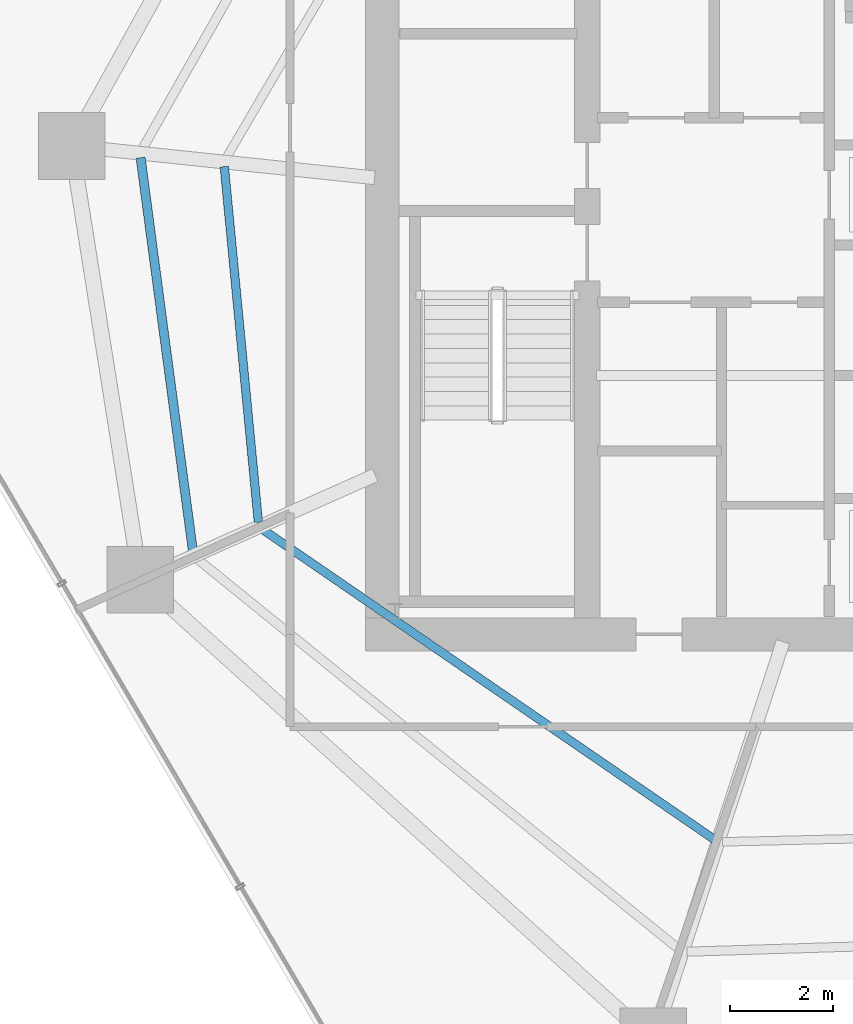
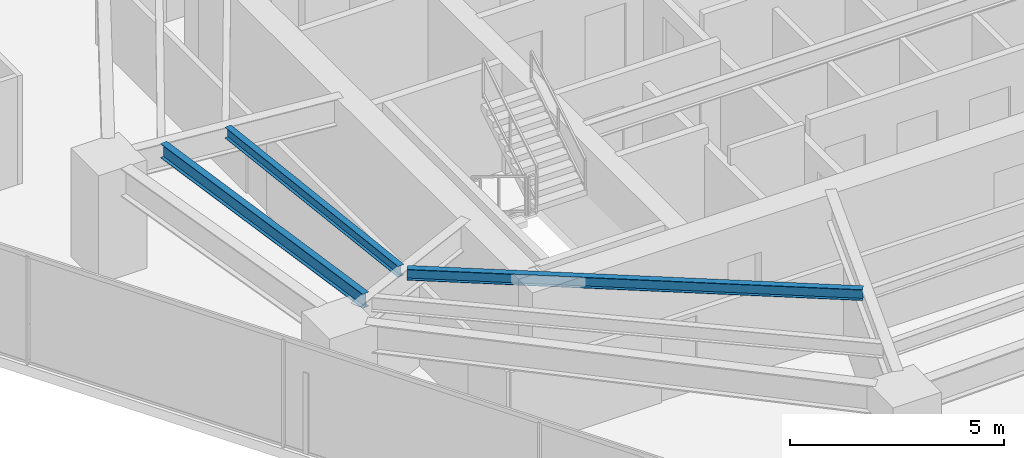
# One storey, part 8 of 31: 3 beams.
"""IFC4 building model written with IfcOpenShell, lengths in metres."""

from ifc_helpers import new_model, si_unit, direction, frame, origin, origin_2d, place, context, subcontext, project, spatial, i_section, extrude, material, material_profile, profile_set, type_object, element, save


model = new_model("IFC4")

# Units and contexts
model_context = context("Model", 3, precision=1e-05, world=origin(), true_north=direction((0.0, 1.0)))
body_context = subcontext(model_context, "Body", "Model", "MODEL_VIEW")
ifc_project = project(units=[si_unit("LENGTHUNIT", "METRE"), si_unit("AREAUNIT", "SQUARE_METRE"), si_unit("VOLUMEUNIT", "CUBIC_METRE"), si_unit("PLANEANGLEUNIT", "RADIAN"), si_unit("MASSUNIT", "GRAM", prefix="KILO")], contexts=[model_context])

# Site, building, storey
site_placement = place(None, origin())
site = spatial("IfcSite", under=ifc_project, at=site_placement, CompositionType="ELEMENT")
building_placement = place(site_placement, origin())
building = spatial("IfcBuilding", under=site, at=building_placement, Name="Qarnah Convention Tower", CompositionType="ELEMENT")
storey_placement = place(building_placement, frame((0.0, 0.0, 68.39990234375)))
storey = spatial("IfcBuildingStorey", under=building, at=storey_placement, Name="L17", CompositionType="ELEMENT", Elevation=68.39990234375)

# Beams
ifc_material = material(Name="Structural steel S355JR", Category="steel")
ifc_material_profile_1 = material_profile(ifc_material, i_section(OverallWidth=0.166015625, OverallDepth=0.31201171875, WebThickness=0.007080078125, FlangeThickness=0.010986328125, at=origin_2d()), Name="W310X45")
ifc_profile_set_1 = profile_set([ifc_material_profile_1], Name="Structural steel S355JR")
beam_type_1 = type_object("IfcBeamType", Name="BM-JST-W310", PredefinedType="JOIST", material=ifc_profile_set_1)
beam_1_placement = place(storey_placement, frame((23.718994140625, 27.72802734375, 2.93408203125), z_axis=(0.095390779358, -0.995439902361, 0.0), x_axis=(0.995439902361, 0.095390779358, 0.0)))
element("IfcBeam", 1, at=beam_1_placement, inside=storey, type_object=beam_type_1, Name="L17 joist BM-L17-IJST-05", PredefinedType="JOIST", context=body_context, shape_type="SweptSolid", body=[
    extrude(i_section(OverallWidth=0.166015625, OverallDepth=0.31201171875, WebThickness=0.007080078125, FlangeThickness=0.010986328125, at=origin_2d()), origin(), (0.0, 0.0, 1.0), 6.9716796875),
])
beam_2_placement = place(storey_placement, frame((24.467041015625, 20.64697265625, 2.93408203125), z_axis=(0.824529031088, -0.565819650501, 0.0), x_axis=(0.565819650501, 0.824529031088, 0.0)))
element("IfcBeam", 2, at=beam_2_placement, inside=storey, type_object=beam_type_1, Name="L17 joist BM-L17-IJST-06", PredefinedType="JOIST", context=body_context, shape_type="SweptSolid", body=[
    extrude(i_section(OverallWidth=0.166015625, OverallDepth=0.31201171875, WebThickness=0.007080078125, FlangeThickness=0.010986328125, at=origin_2d()), origin(), (0.0, 0.0, 1.0), 10.68359375),
])
ifc_material_profile_2 = material_profile(ifc_material, i_section(OverallWidth=0.177978515625, OverallDepth=0.407958984375, WebThickness=0.008056640625, FlangeThickness=0.012939453125, at=origin_2d()), Name="W410X60")
ifc_profile_set_2 = profile_set([ifc_material_profile_2], Name="Structural steel S355JR")
beam_type_2 = type_object("IfcBeamType", Name="BM-JST-W410", PredefinedType="JOIST", material=ifc_profile_set_2)
beam_3_placement = place(storey_placement, frame((22.0859375, 27.90087890625, 2.885986328125), z_axis=(0.131767448728, -0.99128065625, 0.0), x_axis=(0.99128065625, 0.131767448728, 0.0)))
element("IfcBeam", 3, at=beam_3_placement, inside=storey, type_object=beam_type_2, Name="L17 joist BM-L17-SJST-05", PredefinedType="JOIST", context=body_context, shape_type="SweptSolid", body=[
    extrude(i_section(OverallWidth=0.177978515625, OverallDepth=0.407958984375, WebThickness=0.008056640625, FlangeThickness=0.012939453125, at=origin_2d()), origin(), (0.0, 0.0, 1.0), 7.74853515625),
])

save(model, "model.ifc")
